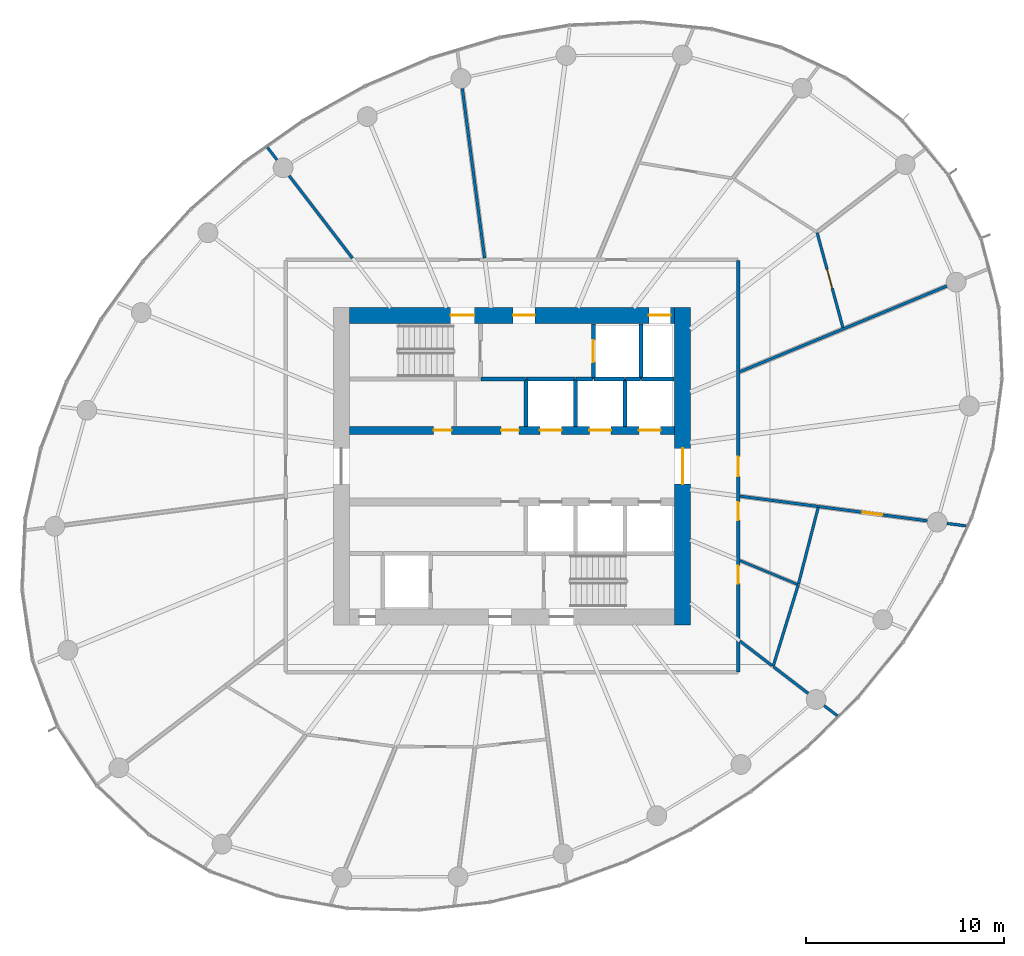
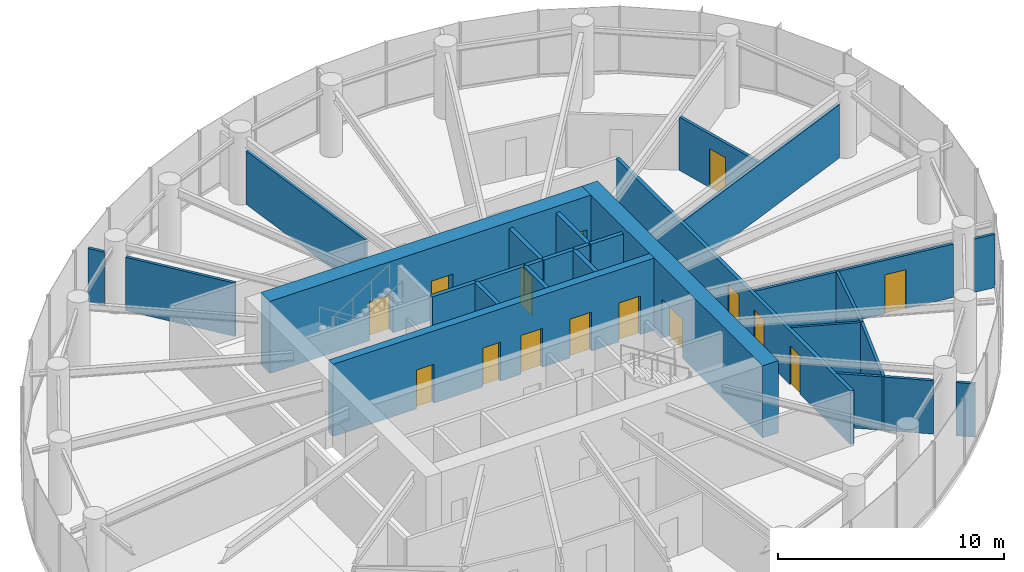
# One storey, part 10 of 14: 29 walls, 15 doors, 15 openings.
"""IFC4 building model written with IfcOpenShell, lengths in metres."""

import ifcopenshell
import ifcopenshell.guid

model = None  # the IFC model being written
_history = None  # IfcOwnerHistory: only IFC2X3 demands one
_inside = {}  # id of a spatial element -> (the spatial element, [elements in it])
_under = {}  # id of a project, library or spatial element -> (it, [spatial elements below it])
_declared = {}  # id of a project -> (the project, [libraries it declares])
_typed = {}  # id of a type object -> (the type object, [elements of that type])
_made_of = {}  # id of a material, layer set ... -> (it, [elements and type objects made of it])


def new_model(schema):
    """Start an empty IFC model of exactly this schema.

    Asked for "IFC4X3", IfcOpenShell would pick the latest addendum, in which some entities
    have other attributes; the version numbers below select the first issue.
    IFC2X3 requires an IfcOwnerHistory on every rooted entity: one is made here for all.
    """
    global model, _history
    if schema == "IFC4X3":
        model = ifcopenshell.file(schema_version=(4, 3, 0, 0))
    else:
        model = ifcopenshell.file(schema=schema)
    _inside.clear()
    _under.clear()
    _declared.clear()
    _typed.clear()
    _made_of.clear()
    _history = None
    if model.schema == "IFC2X3":
        org = make("IfcOrganization", Name="unknown")
        user = make(
            "IfcPersonAndOrganization",
            ThePerson=make("IfcPerson", FamilyName="unknown"),
            TheOrganization=org,
        )
        app = make(
            "IfcApplication",
            ApplicationDeveloper=org,
            Version="unknown",
            ApplicationFullName="unknown",
            ApplicationIdentifier="unknown",
        )
        _history = make(
            "IfcOwnerHistory",
            OwningUser=user,
            OwningApplication=app,
            ChangeAction="ADDED",
            CreationDate=0,
        )
    return model


def make(cls, **values):
    """One entity of the class cls with the attributes given. An attribute that is None is left unset."""
    return model.create_entity(
        cls, **{name: value for name, value in values.items() if value is not None}
    )


def rooted(cls, **values):
    """An entity with a GlobalId (a new one), such as an element, a storey or a relation."""
    return make(cls, GlobalId=ifcopenshell.guid.new(), OwnerHistory=_history, **values)


def si_unit(unit_type, name, prefix=None):
    """IfcSIUnit, for example si_unit("LENGTHUNIT", "METRE", prefix="MILLI")."""
    return make("IfcSIUnit", UnitType=unit_type, Prefix=prefix, Name=name)


def assignment(units):
    """IfcUnitAssignment: the units of a project."""
    return None if units is None else make("IfcUnitAssignment", Units=units)


def point(xyz):
    """IfcCartesianPoint."""
    return None if xyz is None else make("IfcCartesianPoint", Coordinates=xyz)


def direction(xyz):
    """IfcDirection."""
    return None if xyz is None else make("IfcDirection", DirectionRatios=xyz)


def frame(location, z_axis=None, x_axis=None):
    """IfcAxis2Placement3D, a coordinate frame: its origin and axes. An axis left out is left unset."""
    return make(
        "IfcAxis2Placement3D",
        Location=point(location),
        Axis=direction(z_axis),
        RefDirection=direction(x_axis),
    )


def frame_2d(location, x_axis=None):
    """IfcAxis2Placement2D, a coordinate frame in the plane: its origin and x axis."""
    return make(
        "IfcAxis2Placement2D", Location=point(location), RefDirection=direction(x_axis)
    )


def origin():
    """The frame at (0, 0, 0) with its axes left unset."""
    return frame((0.0, 0.0, 0.0))


def place(relative_to, where):
    """IfcLocalPlacement: puts the frame where relative to a parent placement (None: the world)."""
    return make(
        "IfcLocalPlacement", PlacementRelTo=relative_to, RelativePlacement=where
    )


def context(
    kind, dimensions, precision=None, world=None, true_north=None, identifier=None
):
    """IfcGeometricRepresentationContext, for example the 3D "Model" context."""
    return make(
        "IfcGeometricRepresentationContext",
        ContextIdentifier=identifier,
        ContextType=kind,
        CoordinateSpaceDimension=dimensions,
        Precision=precision,
        WorldCoordinateSystem=world,
        TrueNorth=true_north,
    )


def subcontext(parent, identifier, kind, view, scale=None):
    """IfcGeometricRepresentationSubContext, for example "Body" below "Model"."""
    return make(
        "IfcGeometricRepresentationSubContext",
        ContextIdentifier=identifier,
        ContextType=kind,
        ParentContext=parent,
        TargetScale=scale,
        TargetView=view,
    )


def project(units=None, contexts=None):
    """IfcProject with its units and contexts."""
    return rooted(
        "IfcProject",
        Name="project",
        RepresentationContexts=contexts,
        UnitsInContext=assignment(units),
    )


def spatial(cls, under=None, at=None, **own):
    """A site, building, storey or space (cls), placed at a placement, below another one or the project."""
    s = rooted(cls, ObjectPlacement=at, **own)
    if under is not None:
        _under.setdefault(under.id(), (under, []))[1].append(s)
    return s


def profile(cls, at=None, kind="AREA", **sizes):
    """A parametric profile (cls). Its sizes go by their IFC names, for example OverallWidth=200.0."""
    return make(cls, ProfileType=kind, Position=at, **sizes)


def rectangle(**sizes):
    """IfcRectangleProfileDef."""
    return profile("IfcRectangleProfileDef", **sizes)


def extrude(swept, where, along, depth):
    """IfcExtrudedAreaSolid: the profile swept, set in the frame where, extruded along a direction by depth."""
    return make(
        "IfcExtrudedAreaSolid",
        SweptArea=swept,
        Position=where,
        ExtrudedDirection=direction(along),
        Depth=depth,
    )


def shape(context_of_items, identifier, shape_type, items):
    """IfcShapeRepresentation: the items that make up one representation, for example the "Body"."""
    return make(
        "IfcShapeRepresentation",
        ContextOfItems=context_of_items,
        RepresentationIdentifier=identifier,
        RepresentationType=shape_type,
        Items=items,
    )


def source(mapping_origin, context_of_items, identifier, shape_type, items):
    """IfcRepresentationMap: a shape defined once, which mapped items show again and again."""
    return make(
        "IfcRepresentationMap",
        MappingOrigin=mapping_origin,
        MappedRepresentation=shape(context_of_items, identifier, shape_type, items),
    )


def transform(
    local_origin,
    x_axis=None,
    y_axis=None,
    z_axis=None,
    scale=None,
    scale2=None,
    scale3=None,
    uniform=True,
):
    """IfcCartesianTransformationOperator3D, or its non-uniform kind. x_axis, y_axis, z_axis: its Axis1, 2, 3."""
    if uniform:
        return make(
            "IfcCartesianTransformationOperator3D",
            Axis1=direction(x_axis),
            Axis2=direction(y_axis),
            LocalOrigin=point(local_origin),
            Scale=scale,
            Axis3=direction(z_axis),
        )
    return make(
        "IfcCartesianTransformationOperator3DnonUniform",
        Axis1=direction(x_axis),
        Axis2=direction(y_axis),
        LocalOrigin=point(local_origin),
        Scale=scale,
        Axis3=direction(z_axis),
        Scale2=scale2,
        Scale3=scale3,
    )


def mapped(mapping_source, mapping_target):
    """IfcMappedItem: shows the shape of a source again, moved by a transform."""
    return make(
        "IfcMappedItem", MappingSource=mapping_source, MappingTarget=mapping_target
    )


def material(Name=None, Category=None):
    """IfcMaterial."""
    return make("IfcMaterial", Name=Name, Category=Category)


def layer(
    of_material, thickness, ventilated=None, Name=None, Category=None, Priority=None
):
    """IfcMaterialLayer: one layer of a wall or slab, of a material (None: an air gap)."""
    return make(
        "IfcMaterialLayer",
        Material=of_material,
        LayerThickness=thickness,
        IsVentilated=ventilated,
        Name=Name,
        Category=Category,
        Priority=Priority,
    )


def layer_set(layers, Name=None):
    """IfcMaterialLayerSet."""
    return make("IfcMaterialLayerSet", MaterialLayers=layers, LayerSetName=Name)


def made_of(thing, what):
    """Note that an element or type object is made of a material, layer set ...; save() writes the relation."""
    if what is not None:
        _made_of.setdefault(what.id(), (what, []))[1].append(thing)
    return thing


def type_object(cls, material=None, **own):
    """A type object (cls), such as IfcWallType, which elements share."""
    return made_of(rooted(cls, **own), material)


def element(
    cls,
    number,
    at=None,
    inside=None,
    cuts=None,
    type_object=None,
    material=None,
    context=None,
    identifier="Body",
    shape_type=None,
    held_by="IfcProductDefinitionShape",
    body=None,
    shapes=None,
    **own,
):
    """One element of the class cls, such as IfcWall. Its Tag is "e" and its number.

    at: its placement. inside: the storey or other place that contains it. cuts: it is an
    opening in that element (IfcRelVoidsElement). A single representation is given by context,
    identifier, shape_type and body (its items); several are given by shapes. held_by: the class
    of the entity that holds the representations. save() writes the other relations.
    """
    e = rooted(cls, Tag="e%d" % number, ObjectPlacement=at, **own)
    if body is not None:
        shapes = [shape(context, identifier, shape_type, body)]
    if shapes is not None:
        e.Representation = make(held_by, Representations=shapes)
    if inside is not None:
        _inside.setdefault(inside.id(), (inside, []))[1].append(e)
    if cuts is not None:
        rooted(
            "IfcRelVoidsElement", RelatingBuildingElement=cuts, RelatedOpeningElement=e
        )
    if type_object is not None:
        _typed.setdefault(type_object.id(), (type_object, []))[1].append(e)
    return made_of(e, material)


def fill(opening, filler):
    """IfcRelFillsElement: the door or window that sits in an opening."""
    return rooted(
        "IfcRelFillsElement",
        RelatingOpeningElement=opening,
        RelatedBuildingElement=filler,
    )


def aggregate(whole, parts):
    """IfcRelAggregates: a whole, such as a stair, and the parts it consists of."""
    return rooted("IfcRelAggregates", RelatingObject=whole, RelatedObjects=parts)


def save(model, path):
    """Write the relations noted so far, then the file.

    IfcRelAggregates (storeys below a building ...), IfcRelContainedInSpatialStructure (elements
    in a storey), IfcRelDefinesByType, IfcRelAssociatesMaterial and IfcRelDeclares: one each for
    every whole, place, type object, material and project.
    """
    for whole, parts in _under.values():
        aggregate(whole, parts)
    for where, things in _inside.values():
        rooted(
            "IfcRelContainedInSpatialStructure",
            RelatedElements=things,
            RelatingStructure=where,
        )
    for kind, things in _typed.values():
        rooted("IfcRelDefinesByType", RelatedObjects=things, RelatingType=kind)
    for what, things in _made_of.values():
        rooted("IfcRelAssociatesMaterial", RelatedObjects=things, RelatingMaterial=what)
    for by, libraries in _declared.values():
        rooted("IfcRelDeclares", RelatingContext=by, RelatedDefinitions=libraries)
    model.write(path)


model = new_model("IFC4")

# Units and contexts
model_context = context("Model", 3, precision=1e-05, world=origin(), true_north=direction((0.0, 1.0)))
body_context = subcontext(model_context, "Body", "Model", "MODEL_VIEW")
ifc_project = project(units=[si_unit("LENGTHUNIT", "METRE"), si_unit("AREAUNIT", "SQUARE_METRE"), si_unit("VOLUMEUNIT", "CUBIC_METRE"), si_unit("PLANEANGLEUNIT", "RADIAN"), si_unit("MASSUNIT", "GRAM", prefix="KILO")], contexts=[model_context])

# Site, building, storey
site_placement = place(None, origin())
site = spatial("IfcSite", under=ifc_project, at=site_placement, CompositionType="ELEMENT")
building_placement = place(site_placement, origin())
building = spatial("IfcBuilding", under=site, at=building_placement, Name="Spindrift Exchange Tower", CompositionType="ELEMENT")
storey_placement = place(building_placement, frame((0.0, 0.0, 140.89990234375)))
storey = spatial("IfcBuildingStorey", under=building, at=storey_placement, Name="L33", CompositionType="ELEMENT", Elevation=140.89990234375)

# Wall, opening, door
ifc_material_1 = material(Name="Concrete 65 MPa", Category="concrete")
ifc_layer_1 = layer(ifc_material_1, 0.800048828125)
ifc_layer_set_1 = layer_set([ifc_layer_1], Name="RC Core Wall 800 Concrete 65 MPa")
wall_type_1 = type_object("IfcWallType", Name="RC Core Wall 800 Concrete 65 MPa", PredefinedType="SHEAR", material=ifc_layer_set_1)
wall_1_placement = place(storey_placement, frame((60.60009765625, 40.0, 0.0), z_axis=(0.0, 0.0, 1.0), x_axis=(0.0, 1.0, 0.0)))
wall_1 = element("IfcWall", 1, at=wall_1_placement, inside=storey, type_object=wall_type_1, Name="Core wall E L33", PredefinedType="SHEAR", context=body_context, shape_type="SweptSolid", body=[
    extrude(rectangle(XDim=16.0, YDim=0.800048828125, at=frame_2d((8.0, 0.0))), origin(), (0.0, 0.0, 1.0), 3.900146484375),
])
opening_1_placement = place(wall_1_placement, frame((7.10009765625, 0.0, 0.0)))
opening_1 = element("IfcOpeningElement", 2, at=opening_1_placement, cuts=wall_1, Name="Opening L33-D2", PredefinedType="OPENING", context=body_context, shape_type="SweptSolid", body=[
    extrude(rectangle(XDim=1.800048828125, YDim=2.10009765625, at=frame_2d((0.89990234375, 1.050048828125))), frame((0.0, 0.409912109375, 0.0), z_axis=(0.0, -1.0, 0.0), x_axis=(1.0, 0.0, 0.0)), (0.0, 0.0, 1.0), 0.820068359375),
])
ifc_material_2 = material(Name="Timber-core fire door", Category="wood")
door_type_1 = type_object("IfcDoorType", Name="DR-LOBBY-1800", OperationType="NOTDEFINED", PredefinedType="DOOR", material=ifc_material_2)
shared_shape_1 = source(origin(), body_context, "Body", "SweptSolid", [
    extrude(rectangle(XDim=1.800048828125, YDim=2.10009765625, at=frame_2d((0.89990234375, 1.050048828125))), frame((0.0, 0.02490234375, 0.0), z_axis=(0.0, -1.0, 0.0), x_axis=(1.0, 0.0, 0.0)), (0.0, 0.0, 1.0), 0.050048828125),
])
door_1_placement = place(opening_1_placement, origin())
door_1 = element("IfcDoor", 3, at=door_1_placement, inside=storey, type_object=door_type_1, Name="L33 Lobby door 2", OperationType="SINGLE_SWING_RIGHT", OverallHeight=2.10009765625, OverallWidth=1.800048828125, PredefinedType="DOOR", context=body_context, shape_type="MappedRepresentation", body=[
    mapped(shared_shape_1, transform((0.0, 0.0, 0.0), scale=1.0)),
])
fill(opening_1, door_1)

# Wall, openings, doors
wall_2_placement = place(storey_placement, frame((60.199951171875, 55.60009765625, 0.0), z_axis=(0.0, 0.0, 1.0), x_axis=(-1.0, 0.0, 0.0)))
wall_2 = element("IfcWall", 4, at=wall_2_placement, inside=storey, type_object=wall_type_1, Name="Core wall N L33", PredefinedType="SHEAR", context=body_context, shape_type="SweptSolid", body=[
    extrude(rectangle(XDim=16.39990234375, YDim=0.800048828125, at=frame_2d((8.199951171875, 0.0))), origin(), (0.0, 0.0, 1.0), 3.900146484375),
])
opening_2_placement = place(wall_2_placement, frame((0.199951171875, 0.0, 0.0)))
opening_2 = element("IfcOpeningElement", 5, at=opening_2_placement, cuts=wall_2, Name="Opening L33-D11", PredefinedType="OPENING", context=body_context, shape_type="SweptSolid", body=[
    extrude(rectangle(XDim=1.10009765625, YDim=2.10009765625, at=frame_2d((0.550048828125, 1.050048828125))), frame((0.0, 0.409912109375, 0.0), z_axis=(0.0, -1.0, 0.0), x_axis=(1.0, 0.0, 0.0)), (0.0, 0.0, 1.0), 0.820068359375),
])
opening_3_placement = place(wall_2_placement, frame((10.10009765625, 0.0, 0.0)))
opening_3 = element("IfcOpeningElement", 6, at=opening_3_placement, cuts=wall_2, Name="Opening L33-D12", PredefinedType="OPENING", context=body_context, shape_type="SweptSolid", body=[
    extrude(rectangle(XDim=1.199951171875, YDim=2.10009765625, at=frame_2d((0.60009765625, 1.050048828125))), frame((0.0, 0.409912109375, 0.0), z_axis=(0.0, -1.0, 0.0), x_axis=(1.0, 0.0, 0.0)), (0.0, 0.0, 1.0), 0.820068359375),
])
opening_4_placement = place(wall_2_placement, frame((7.050048828125, 0.0, 0.0)))
opening_4 = element("IfcOpeningElement", 7, at=opening_4_placement, cuts=wall_2, Name="Opening L33-D14", PredefinedType="OPENING", context=body_context, shape_type="SweptSolid", body=[
    extrude(rectangle(XDim=1.10009765625, YDim=2.10009765625, at=frame_2d((0.550048828125, 1.050048828125))), frame((0.0, 0.409912109375, 0.0), z_axis=(0.0, -1.0, 0.0), x_axis=(1.0, 0.0, 0.0)), (0.0, 0.0, 1.0), 0.820068359375),
])
ifc_material_3 = material(Name="Stainless steel landing door", Category="steel")
door_type_2 = type_object("IfcDoorType", Name="DR-LANDING-1100-SL", OperationType="DOUBLE_DOOR_SLIDING", PredefinedType="USERDEFINED", material=ifc_material_3)
shared_shape_2 = source(origin(), body_context, "Body", "SweptSolid", [
    extrude(rectangle(XDim=1.10009765625, YDim=2.10009765625, at=frame_2d((0.550048828125, 1.050048828125))), frame((0.0, 0.02490234375, 0.0), z_axis=(0.0, -1.0, 0.0), x_axis=(1.0, 0.0, 0.0)), (0.0, 0.0, 1.0), 0.050048828125),
])
door_2_placement = place(opening_2_placement, origin())
door_2 = element("IfcDoor", 8, at=door_2_placement, inside=storey, type_object=door_type_2, Name="L33 Lift landing door 11", ObjectType="LANDING DOOR", OperationType="DOUBLE_DOOR_SLIDING", OverallHeight=2.10009765625, OverallWidth=1.10009765625, PredefinedType="USERDEFINED", context=body_context, shape_type="MappedRepresentation", body=[
    mapped(shared_shape_2, transform((0.0, 0.0, 0.0), scale=1.0)),
])
fill(opening_2, door_2)
ifc_material_4 = material(Name="Steel fire door", Category="steel")
door_type_3 = type_object("IfcDoorType", Name="DR-STAIR-1200", OperationType="NOTDEFINED", PredefinedType="DOOR", material=ifc_material_4)
shared_shape_3 = source(origin(), body_context, "Body", "SweptSolid", [
    extrude(rectangle(XDim=1.199951171875, YDim=2.10009765625, at=frame_2d((0.60009765625, 1.050048828125))), frame((0.0, 0.02490234375, 0.0), z_axis=(0.0, -1.0, 0.0), x_axis=(1.0, 0.0, 0.0)), (0.0, 0.0, 1.0), 0.050048828125),
])
door_3_placement = place(opening_3_placement, origin())
door_3 = element("IfcDoor", 9, at=door_3_placement, inside=storey, type_object=door_type_3, Name="L33 Stair door 12", OperationType="SINGLE_SWING_LEFT", OverallHeight=2.10009765625, OverallWidth=1.199951171875, PredefinedType="DOOR", context=body_context, shape_type="MappedRepresentation", body=[
    mapped(shared_shape_3, transform((0.0, 0.0, 0.0), scale=1.0)),
])
fill(opening_3, door_3)
door_type_4 = type_object("IfcDoorType", Name="DR-LOBBY-1100", OperationType="NOTDEFINED", PredefinedType="DOOR", material=ifc_material_2)
shared_shape_4 = source(origin(), body_context, "Body", "SweptSolid", [
    extrude(rectangle(XDim=1.10009765625, YDim=2.10009765625, at=frame_2d((0.550048828125, 1.050048828125))), frame((0.0, 0.02490234375, 0.0), z_axis=(0.0, -1.0, 0.0), x_axis=(1.0, 0.0, 0.0)), (0.0, 0.0, 1.0), 0.050048828125),
])
door_4_placement = place(opening_4_placement, origin())
door_4 = element("IfcDoor", 10, at=door_4_placement, inside=storey, type_object=door_type_4, Name="L33 Lobby door 14", OperationType="SINGLE_SWING_LEFT", OverallHeight=2.10009765625, OverallWidth=1.10009765625, PredefinedType="DOOR", context=body_context, shape_type="MappedRepresentation", body=[
    mapped(shared_shape_4, transform((0.0, 0.0, 0.0), scale=1.0)),
])
fill(opening_4, door_4)

ifc_layer_2 = layer(ifc_material_1, 0.39990234375)
ifc_layer_set_2 = layer_set([ifc_layer_2], Name="RC Spine Wall 400 Concrete 65 MPa")
wall_type_2 = type_object("IfcWallType", Name="RC Spine Wall 400 Concrete 65 MPa", PredefinedType="SHEAR", material=ifc_layer_set_2)
wall_3_placement = place(storey_placement, frame((43.800048828125, 49.800048828125, 0.0), z_axis=(0.0, 0.0, 1.0), x_axis=(1.0, 0.0, 0.0)))
wall_3 = element("IfcWall", 11, at=wall_3_placement, inside=storey, type_object=wall_type_2, Name="Core spine wall N L33", PredefinedType="SHEAR", context=body_context, shape_type="SweptSolid", body=[
    extrude(rectangle(XDim=16.39990234375, YDim=0.39990234375, at=frame_2d((8.199951171875, 0.0))), origin(), (0.0, 0.0, 1.0), 3.900146484375),
])
opening_5_placement = place(wall_3_placement, frame((9.60009765625, 0.0, 0.0)))
opening_5 = element("IfcOpeningElement", 12, at=opening_5_placement, cuts=wall_3, Name="Opening L33-D3", PredefinedType="OPENING", context=body_context, shape_type="SweptSolid", body=[
    extrude(rectangle(XDim=1.10009765625, YDim=2.10009765625, at=frame_2d((0.550048828125, 1.050048828125))), frame((0.0, 0.2099609375, 0.0), z_axis=(0.0, -1.0, 0.0), x_axis=(1.0, 0.0, 0.0)), (0.0, 0.0, 1.0), 0.419921875),
])
opening_6_placement = place(wall_3_placement, frame((12.10009765625, 0.0, 0.0)))
opening_6 = element("IfcOpeningElement", 13, at=opening_6_placement, cuts=wall_3, Name="Opening L33-D4", PredefinedType="OPENING", context=body_context, shape_type="SweptSolid", body=[
    extrude(rectangle(XDim=1.10009765625, YDim=2.10009765625, at=frame_2d((0.550048828125, 1.050048828125))), frame((0.0, 0.2099609375, 0.0), z_axis=(0.0, -1.0, 0.0), x_axis=(1.0, 0.0, 0.0)), (0.0, 0.0, 1.0), 0.419921875),
])
opening_7_placement = place(wall_3_placement, frame((14.60009765625, 0.0, 0.0)))
opening_7 = element("IfcOpeningElement", 14, at=opening_7_placement, cuts=wall_3, Name="Opening L33-D5", PredefinedType="OPENING", context=body_context, shape_type="SweptSolid", body=[
    extrude(rectangle(XDim=1.10009765625, YDim=2.10009765625, at=frame_2d((0.550048828125, 1.050048828125))), frame((0.0, 0.2099609375, 0.0), z_axis=(0.0, -1.0, 0.0), x_axis=(1.0, 0.0, 0.0)), (0.0, 0.0, 1.0), 0.419921875),
])
opening_8_placement = place(wall_3_placement, frame((4.25, 0.0, 0.0)))
opening_8 = element("IfcOpeningElement", 15, at=opening_8_placement, cuts=wall_3, Name="Opening L33-D37", PredefinedType="OPENING", context=body_context, shape_type="SweptSolid", body=[
    extrude(rectangle(XDim=0.89990234375, YDim=2.10009765625, at=frame_2d((0.449951171875, 1.050048828125))), frame((0.0, 0.2099609375, 0.0), z_axis=(0.0, -1.0, 0.0), x_axis=(1.0, 0.0, 0.0)), (0.0, 0.0, 1.0), 0.419921875),
])
opening_9_placement = place(wall_3_placement, frame((7.64990234375, 0.0, 0.0)))
opening_9 = element("IfcOpeningElement", 16, at=opening_9_placement, cuts=wall_3, Name="Opening L33-D38", PredefinedType="OPENING", context=body_context, shape_type="SweptSolid", body=[
    extrude(rectangle(XDim=0.89990234375, YDim=2.10009765625, at=frame_2d((0.449951171875, 1.050048828125))), frame((0.0, 0.2099609375, 0.0), z_axis=(0.0, -1.0, 0.0), x_axis=(1.0, 0.0, 0.0)), (0.0, 0.0, 1.0), 0.419921875),
])
door_5_placement = place(opening_5_placement, origin())
door_5 = element("IfcDoor", 17, at=door_5_placement, inside=storey, type_object=door_type_2, Name="L33 Lift landing door 3", ObjectType="LANDING DOOR", OperationType="DOUBLE_DOOR_SLIDING", OverallHeight=2.10009765625, OverallWidth=1.10009765625, PredefinedType="USERDEFINED", context=body_context, shape_type="MappedRepresentation", body=[
    mapped(shared_shape_2, transform((0.0, 0.0, 0.0), scale=1.0)),
])
fill(opening_5, door_5)
door_6_placement = place(opening_6_placement, origin())
door_6 = element("IfcDoor", 18, at=door_6_placement, inside=storey, type_object=door_type_2, Name="L33 Lift landing door 4", ObjectType="LANDING DOOR", OperationType="DOUBLE_DOOR_SLIDING", OverallHeight=2.10009765625, OverallWidth=1.10009765625, PredefinedType="USERDEFINED", context=body_context, shape_type="MappedRepresentation", body=[
    mapped(shared_shape_2, transform((0.0, 0.0, 0.0), scale=1.0)),
])
fill(opening_6, door_6)
door_7_placement = place(opening_7_placement, origin())
door_7 = element("IfcDoor", 19, at=door_7_placement, inside=storey, type_object=door_type_2, Name="L33 Lift landing door 5", ObjectType="LANDING DOOR", OperationType="DOUBLE_DOOR_SLIDING", OverallHeight=2.10009765625, OverallWidth=1.10009765625, PredefinedType="USERDEFINED", context=body_context, shape_type="MappedRepresentation", body=[
    mapped(shared_shape_2, transform((0.0, 0.0, 0.0), scale=1.0)),
])
fill(opening_7, door_7)
ifc_material_5 = material(Name="Steel access door", Category="steel")
door_type_5 = type_object("IfcDoorType", Name="DR-RISER-900", OperationType="NOTDEFINED", PredefinedType="DOOR", material=ifc_material_5)
shared_shape_5 = source(origin(), body_context, "Body", "SweptSolid", [
    extrude(rectangle(XDim=0.89990234375, YDim=2.10009765625, at=frame_2d((0.449951171875, 1.050048828125))), frame((0.0, 0.02490234375, 0.0), z_axis=(0.0, -1.0, 0.0), x_axis=(1.0, 0.0, 0.0)), (0.0, 0.0, 1.0), 0.050048828125),
])
door_8_placement = place(opening_8_placement, origin())
door_8 = element("IfcDoor", 20, at=door_8_placement, inside=storey, type_object=door_type_5, Name="L33 Riser door 37", OperationType="SINGLE_SWING_RIGHT", OverallHeight=2.10009765625, OverallWidth=0.89990234375, PredefinedType="DOOR", context=body_context, shape_type="MappedRepresentation", body=[
    mapped(shared_shape_5, transform((0.0, 0.0, 0.0), scale=1.0)),
])
fill(opening_8, door_8)
door_9_placement = place(opening_9_placement, origin())
door_9 = element("IfcDoor", 21, at=door_9_placement, inside=storey, type_object=door_type_5, Name="L33 Riser door 38", OperationType="SINGLE_SWING_LEFT", OverallHeight=2.10009765625, OverallWidth=0.89990234375, PredefinedType="DOOR", context=body_context, shape_type="MappedRepresentation", body=[
    mapped(shared_shape_5, transform((0.0, 0.0, 0.0), scale=1.0)),
])
fill(opening_9, door_9)

ifc_material_6 = material(Name="Fire-rated plasterboard partition", Category="gypsum")
ifc_layer_3 = layer(ifc_material_6, 0.179931640625)
ifc_layer_set_3 = layer_set([ifc_layer_3], Name="W-CORR-180")
wall_type_3 = type_object("IfcWallType", Name="W-CORR-180", PredefinedType="PARTITIONING", material=ifc_layer_set_3)
wall_4_placement = place(storey_placement, frame((63.39990234375, 58.3701171875, 0.0), z_axis=(0.0, 0.0, 1.0), x_axis=(0.0, -1.0, 0.0)))
wall_4 = element("IfcWall", 22, at=wall_4_placement, inside=storey, type_object=wall_type_3, Name="L33 Partition wall 29", PredefinedType="PARTITIONING", context=body_context, shape_type="SweptSolid", body=[
    extrude(rectangle(XDim=20.740234375, YDim=0.179931640625, at=frame_2d((10.3701171875, 0.0))), origin(), (0.0, 0.0, 1.0), 2.880126953125),
])
opening_10_placement = place(wall_4_placement, frame((15.389892578125, 0.0, 0.0)))
opening_10 = element("IfcOpeningElement", 23, at=opening_10_placement, cuts=wall_4, Name="Opening L33-D19", PredefinedType="OPENING", context=body_context, shape_type="SweptSolid", body=[
    extrude(rectangle(XDim=0.89990234375, YDim=2.10009765625, at=frame_2d((0.449951171875, 1.050048828125))), frame((0.0, 0.099853515625, 0.0), z_axis=(0.0, -1.0, 0.0), x_axis=(1.0, 0.0, 0.0)), (0.0, 0.0, 1.0), 0.199951171875),
])
opening_11_placement = place(wall_4_placement, frame((12.18994140625, 0.0, 0.0)))
opening_11 = element("IfcOpeningElement", 24, at=opening_11_placement, cuts=wall_4, Name="Opening L33-D20", PredefinedType="OPENING", context=body_context, shape_type="SweptSolid", body=[
    extrude(rectangle(XDim=0.89990234375, YDim=2.10009765625, at=frame_2d((0.449951171875, 1.050048828125))), frame((0.0, 0.099853515625, 0.0), z_axis=(0.0, -1.0, 0.0), x_axis=(1.0, 0.0, 0.0)), (0.0, 0.0, 1.0), 0.199951171875),
])
opening_12_placement = place(wall_4_placement, frame((9.889892578125, 0.0, 0.0)))
opening_12 = element("IfcOpeningElement", 25, at=opening_12_placement, cuts=wall_4, Name="Opening L33-D21", PredefinedType="OPENING", context=body_context, shape_type="SweptSolid", body=[
    extrude(rectangle(XDim=1.0, YDim=2.10009765625, at=frame_2d((0.5, 1.050048828125))), frame((0.0, 0.099853515625, 0.0), z_axis=(0.0, -1.0, 0.0), x_axis=(1.0, 0.0, 0.0)), (0.0, 0.0, 1.0), 0.199951171875),
])
door_type_6 = type_object("IfcDoorType", Name="DR-ROOM-1000", OperationType="NOTDEFINED", PredefinedType="DOOR", material=ifc_material_2)
shared_shape_6 = source(origin(), body_context, "Body", "SweptSolid", [
    extrude(rectangle(XDim=1.0, YDim=2.10009765625, at=frame_2d((0.5, 1.050048828125))), frame((0.0, 0.02490234375, 0.0), z_axis=(0.0, -1.0, 0.0), x_axis=(1.0, 0.0, 0.0)), (0.0, 0.0, 1.0), 0.050048828125),
])
door_10_placement = place(opening_12_placement, origin())
door_10 = element("IfcDoor", 26, at=door_10_placement, inside=storey, type_object=door_type_6, Name="L33 Door 21", OperationType="SINGLE_SWING_RIGHT", OverallHeight=2.10009765625, OverallWidth=1.0, PredefinedType="DOOR", context=body_context, shape_type="MappedRepresentation", body=[
    mapped(shared_shape_6, transform((0.0, 0.0, 0.0), scale=1.0)),
])
fill(opening_12, door_10)
ifc_material_7 = material(Name="Laminate washroom door", Category="wood")
door_type_7 = type_object("IfcDoorType", Name="DR-WC-900", OperationType="NOTDEFINED", PredefinedType="DOOR", material=ifc_material_7)
shared_shape_7 = source(origin(), body_context, "Body", "SweptSolid", [
    extrude(rectangle(XDim=0.89990234375, YDim=2.10009765625, at=frame_2d((0.449951171875, 1.050048828125))), frame((0.0, 0.02490234375, 0.0), z_axis=(0.0, -1.0, 0.0), x_axis=(1.0, 0.0, 0.0)), (0.0, 0.0, 1.0), 0.050048828125),
])
door_11_placement = place(opening_10_placement, origin())
door_11 = element("IfcDoor", 27, at=door_11_placement, inside=storey, type_object=door_type_7, Name="L33 WC door 19", OperationType="SINGLE_SWING_RIGHT", OverallHeight=2.10009765625, OverallWidth=0.89990234375, PredefinedType="DOOR", context=body_context, shape_type="MappedRepresentation", body=[
    mapped(shared_shape_7, transform((0.0, 0.0, 0.0), scale=1.0)),
])
fill(opening_10, door_11)
door_12_placement = place(opening_11_placement, origin())
door_12 = element("IfcDoor", 28, at=door_12_placement, inside=storey, type_object=door_type_7, Name="L33 WC door 20", OperationType="SINGLE_SWING_LEFT", OverallHeight=2.10009765625, OverallWidth=0.89990234375, PredefinedType="DOOR", context=body_context, shape_type="MappedRepresentation", body=[
    mapped(shared_shape_7, transform((0.0, 0.0, 0.0), scale=1.0)),
])
fill(opening_11, door_12)

# Walls
ifc_layer_4 = layer(ifc_material_6, 0.139892578125)
ifc_layer_set_4 = layer_set([ifc_layer_4], Name="W-PART-140")
wall_type_4 = type_object("IfcWallType", Name="W-PART-140", PredefinedType="PARTITIONING", material=ifc_layer_set_4)
wall_5_placement = place(storey_placement, frame((73.93017578125, 57.083740234375, 0.0), z_axis=(0.0, 0.0, 1.0), x_axis=(-0.923879643786, -0.382683163725, 0.0)))
element("IfcWall", 29, at=wall_5_placement, inside=storey, type_object=wall_type_4, Name="L33 Partition wall 31", PredefinedType="PARTITIONING", context=body_context, shape_type="SweptSolid", body=[
    extrude(rectangle(XDim=11.30029296875, YDim=0.139892578125, at=frame_2d((5.650146484375, 0.0))), origin(), (0.0, 0.0, 1.0), 2.880126953125),
])
wall_6_placement = place(storey_placement, frame((50.618896484375, 58.489990234375, 0.0), z_axis=(0.0, 0.0, 1.0), x_axis=(-0.130507901859, 0.991447269174, 0.0)))
element("IfcWall", 30, at=wall_6_placement, inside=storey, type_object=wall_type_4, Name="L33 Partition wall 34", PredefinedType="PARTITIONING", context=body_context, shape_type="SweptSolid", body=[
    extrude(rectangle(XDim=8.63525390625, YDim=0.139892578125, at=frame_2d((4.317626953125, 0.0))), origin(), (0.0, 0.0, 1.0), 2.880126953125),
])

# Wall, opening, door
wall_7_placement = place(storey_placement, frame((72.94091796875, 45.2431640625, 0.0), z_axis=(0.0, 0.0, 1.0), x_axis=(-0.991447989587, 0.130502428879, 0.0)))
wall_7 = element("IfcWall", 31, at=wall_7_placement, inside=storey, type_object=wall_type_4, Name="L33 Partition wall 40", PredefinedType="PARTITIONING", context=body_context, shape_type="SweptSolid", body=[
    extrude(rectangle(XDim=5.53564453125, YDim=0.139892578125, at=frame_2d((2.767822265625, 0.0))), origin(), (0.0, 0.0, 1.0), 2.880126953125),
])
opening_13_placement = place(wall_7_placement, frame((2.28564453125, 0.0, 0.0)))
opening_13 = element("IfcOpeningElement", 32, at=opening_13_placement, cuts=wall_7, Name="Opening L33-D22", PredefinedType="OPENING", context=body_context, shape_type="SweptSolid", body=[
    extrude(rectangle(XDim=1.0, YDim=2.10009765625, at=frame_2d((0.5, 1.050048828125))), frame((0.0, 0.079833984375, 0.0), z_axis=(0.0, -1.0, 0.0), x_axis=(1.0, 0.0, 0.0)), (0.0, 0.0, 1.0), 0.159912109375),
])
door_13_placement = place(opening_13_placement, origin())
door_13 = element("IfcDoor", 33, at=door_13_placement, inside=storey, type_object=door_type_6, Name="L33 Door 22", OperationType="SINGLE_SWING_LEFT", OverallHeight=2.10009765625, OverallWidth=1.0, PredefinedType="DOOR", context=body_context, shape_type="MappedRepresentation", body=[
    mapped(shared_shape_6, transform((0.0, 0.0, 0.0), scale=1.0)),
])
fill(opening_13, door_13)

# Wall
wall_8_placement = place(storey_placement, frame((43.95068359375, 58.489990234375, 0.0), z_axis=(0.0, 0.0, 1.0), x_axis=(-0.608736894437, 0.793372165728, 0.0)))
element("IfcWall", 34, at=wall_8_placement, inside=storey, type_object=wall_type_4, Name="L33 Partition wall 41", PredefinedType="PARTITIONING", context=body_context, shape_type="SweptSolid", body=[
    extrude(rectangle(XDim=5.236328125, YDim=0.139892578125, at=frame_2d((2.6181640625, 0.0))), origin(), (0.0, 0.0, 1.0), 2.880126953125),
])

# Wall, opening, door
wall_9_placement = place(storey_placement, frame((67.386962890625, 59.771728515625, 0.0), z_axis=(0.0, 0.0, 1.0), x_axis=(0.262079708004, -0.965046230319, 0.0)))
wall_9 = element("IfcWall", 35, at=wall_9_placement, inside=storey, type_object=wall_type_4, Name="L33 Partition wall 44", PredefinedType="PARTITIONING", context=body_context, shape_type="SweptSolid", body=[
    extrude(rectangle(XDim=4.957763671875, YDim=0.139892578125, at=frame_2d((2.47900390625, 0.0))), origin(), (0.0, 0.0, 1.0), 2.880126953125),
])
opening_14_placement = place(wall_9_placement, frame((1.90771484375, 0.0, 0.0)))
opening_14 = element("IfcOpeningElement", 36, at=opening_14_placement, cuts=wall_9, Name="Opening L33-D24", PredefinedType="OPENING", context=body_context, shape_type="SweptSolid", body=[
    extrude(rectangle(XDim=1.0, YDim=2.10009765625, at=frame_2d((0.5, 1.050048828125))), frame((0.0, 0.079833984375, 0.0), z_axis=(0.0, -1.0, 0.0), x_axis=(1.0, 0.0, 0.0)), (0.0, 0.0, 1.0), 0.159912109375),
])
door_14_placement = place(opening_14_placement, origin())
door_14 = element("IfcDoor", 37, at=door_14_placement, inside=storey, type_object=door_type_6, Name="L33 Door 24", OperationType="SINGLE_SWING_LEFT", OverallHeight=2.10009765625, OverallWidth=1.0, PredefinedType="DOOR", context=body_context, shape_type="MappedRepresentation", body=[
    mapped(shared_shape_6, transform((0.0, 0.0, 0.0), scale=1.0)),
])
fill(opening_14, door_14)

# Walls
wall_10_placement = place(storey_placement, frame((65.16650390625, 37.89697265625, 0.0), z_axis=(0.0, 0.0, 1.0), x_axis=(0.294141518145, 0.955761877929, 0.0)))
element("IfcWall", 38, at=wall_10_placement, inside=storey, type_object=wall_type_4, Name="L33 Partition wall 49", PredefinedType="PARTITIONING", context=body_context, shape_type="SweptSolid", body=[
    extrude(rectangle(XDim=4.314453125, YDim=0.139892578125, at=frame_2d((2.1572265625, 0.0))), origin(), (0.0, 0.0, 1.0), 2.880126953125),
])
wall_11_placement = place(storey_placement, frame((63.489990234375, 46.4873046875, 0.0), z_axis=(0.0, 0.0, 1.0), x_axis=(0.991443189387, -0.130538891594, 0.0)))
element("IfcWall", 39, at=wall_11_placement, inside=storey, type_object=wall_type_4, Name="L33 Partition wall 50", PredefinedType="PARTITIONING", context=body_context, shape_type="SweptSolid", body=[
    extrude(rectangle(XDim=3.966796875, YDim=0.139892578125, at=frame_2d((1.9833984375, 0.0))), origin(), (0.0, 0.0, 1.0), 2.880126953125),
])
wall_12_placement = place(storey_placement, frame((66.443115234375, 42.049560546875, 0.0), z_axis=(0.0, 0.0, 1.0), x_axis=(0.249613122832, 0.968345645372, 0.0)))
element("IfcWall", 40, at=wall_12_placement, inside=storey, type_object=wall_type_4, Name="L33 Partition wall 51", PredefinedType="PARTITIONING", context=body_context, shape_type="SweptSolid", body=[
    extrude(rectangle(XDim=4.013916015625, YDim=0.139892578125, at=frame_2d((2.0068359375, 0.0))), origin(), (0.0, 0.0, 1.0), 2.880126953125),
])
wall_13_placement = place(storey_placement, frame((65.1904296875, 37.878662109375, 0.0), z_axis=(0.0, 0.0, 1.0), x_axis=(0.793320542196, -0.608804169934, 0.0)))
element("IfcWall", 41, at=wall_13_placement, inside=storey, type_object=wall_type_4, Name="L33 Partition wall 56", PredefinedType="PARTITIONING", context=body_context, shape_type="SweptSolid", body=[
    extrude(rectangle(XDim=2.200439453125, YDim=0.139892578125, at=frame_2d((1.10009765625, 0.0))), origin(), (0.0, 0.0, 1.0), 2.880126953125),
])
wall_14_placement = place(storey_placement, frame((63.489990234375, 39.183349609375, 0.0), z_axis=(0.0, 0.0, 1.0), x_axis=(0.79338464657, -0.6087206277, 0.0)))
element("IfcWall", 42, at=wall_14_placement, inside=storey, type_object=wall_type_4, Name="L33 Partition wall 57", PredefinedType="PARTITIONING", context=body_context, shape_type="SweptSolid", body=[
    extrude(rectangle(XDim=2.03857421875, YDim=0.139892578125, at=frame_2d((1.019287109375, 0.0))), origin(), (0.0, 0.0, 1.0), 2.880126953125),
])
wall_15_placement = place(storey_placement, frame((73.941162109375, 45.111328125, 0.0), z_axis=(0.0, 0.0, 1.0), x_axis=(0.991440537441, -0.130559031548, 0.0)))
element("IfcWall", 43, at=wall_15_placement, inside=storey, type_object=wall_type_4, Name="L33 Partition wall 59", PredefinedType="PARTITIONING", context=body_context, shape_type="SweptSolid", body=[
    extrude(rectangle(XDim=0.966796875, YDim=0.139892578125, at=frame_2d((0.4833984375, 0.0))), origin(), (0.0, 0.0, 1.0), 2.880126953125),
])
wall_16_placement = place(storey_placement, frame((67.736572265625, 35.9248046875, 0.0), z_axis=(0.0, 0.0, 1.0), x_axis=(0.793527999072, -0.608533741619, 0.0)))
element("IfcWall", 44, at=wall_16_placement, inside=storey, type_object=wall_type_4, Name="L33 Partition wall 68", PredefinedType="PARTITIONING", context=body_context, shape_type="SweptSolid", body=[
    extrude(rectangle(XDim=0.8525390625, YDim=0.139892578125, at=frame_2d((0.42626953125, 0.0))), origin(), (0.0, 0.0, 1.0), 2.880126953125),
])
wall_17_placement = place(storey_placement, frame((40.14892578125, 63.444580078125, 0.0), z_axis=(0.0, 0.0, 1.0), x_axis=(-0.608760344495, 0.793354172467, 0.0)))
element("IfcWall", 45, at=wall_17_placement, inside=storey, type_object=wall_type_4, Name="L33 Partition wall 71", PredefinedType="PARTITIONING", context=body_context, shape_type="SweptSolid", body=[
    extrude(rectangle(XDim=0.794921875, YDim=0.139892578125, at=frame_2d((0.3974609375, 0.0))), origin(), (0.0, 0.0, 1.0), 2.880126953125),
])

# Wall, opening, door
ifc_material_8 = material(Name="Concrete 40 MPa", Category="concrete")
ifc_layer_5 = layer(ifc_material_8, 0.199951171875)
ifc_layer_set_5 = layer_set([ifc_layer_5], Name="W-SHAFT-200")
wall_type_5 = type_object("IfcWallType", Name="W-SHAFT-200", PredefinedType="SOLIDWALL", material=ifc_layer_set_5)
wall_18_placement = place(storey_placement, frame((56.10009765625, 55.179931640625, 0.0), z_axis=(0.0, 0.0, 1.0), x_axis=(0.0, -1.0, 0.0)))
wall_18 = element("IfcWall", 46, at=wall_18_placement, inside=storey, type_object=wall_type_5, Name="L33 Shaft wall 7", PredefinedType="SOLIDWALL", context=body_context, shape_type="SweptSolid", body=[
    extrude(rectangle(XDim=2.780029296875, YDim=0.199951171875, at=frame_2d((1.39013671875, 0.0))), origin(), (0.0, 0.0, 1.0), 3.580078125),
])
opening_15_placement = place(wall_18_placement, frame((0.830078125, 0.0, 0.0)))
opening_15 = element("IfcOpeningElement", 47, at=opening_15_placement, cuts=wall_18, Name="Opening L33-D9", PredefinedType="OPENING", context=body_context, shape_type="SweptSolid", body=[
    extrude(rectangle(XDim=1.10009765625, YDim=2.10009765625, at=frame_2d((0.550048828125, 1.050048828125))), frame((0.0, 0.10986328125, 0.0), z_axis=(0.0, -1.0, 0.0), x_axis=(1.0, 0.0, 0.0)), (0.0, 0.0, 1.0), 0.219970703125),
])
door_15_placement = place(opening_15_placement, origin())
door_15 = element("IfcDoor", 48, at=door_15_placement, inside=storey, type_object=door_type_2, Name="L33 Lift landing door 9", ObjectType="LANDING DOOR", OperationType="DOUBLE_DOOR_SLIDING", OverallHeight=2.10009765625, OverallWidth=1.10009765625, PredefinedType="USERDEFINED", context=body_context, shape_type="MappedRepresentation", body=[
    mapped(shared_shape_2, transform((0.0, 0.0, 0.0), scale=1.0)),
])
fill(opening_15, door_15)

# Walls
wall_19_placement = place(storey_placement, frame((58.5, 52.39990234375, 0.0), z_axis=(0.0, 0.0, 1.0), x_axis=(0.0, 1.0, 0.0)))
element("IfcWall", 49, at=wall_19_placement, inside=storey, type_object=wall_type_5, Name="L33 Shaft wall 8", PredefinedType="SOLIDWALL", context=body_context, shape_type="SweptSolid", body=[
    extrude(rectangle(XDim=2.780029296875, YDim=0.199951171875, at=frame_2d((1.39013671875, 0.0))), origin(), (0.0, 0.0, 1.0), 3.580078125),
])
wall_20_placement = place(storey_placement, frame((55.199951171875, 52.39990234375, 0.0), z_axis=(0.0, 0.0, 1.0), x_axis=(-1.0, 0.0, 0.0)))
element("IfcWall", 50, at=wall_20_placement, inside=storey, type_object=wall_type_5, Name="L33 Shaft wall 9", PredefinedType="SOLIDWALL", context=body_context, shape_type="SweptSolid", body=[
    extrude(rectangle(XDim=2.5, YDim=0.199951171875, at=frame_2d((1.25, 0.0))), origin(), (0.0, 0.0, 1.0), 3.580078125),
])
for number, where, z_axis, x_axis, name in (
    (51, (52.699951171875, 52.3701171875, 0.0), (0.0, 0.0, 1.0), (0.0, -1.0, 0.0), "L33 Shaft wall 14"),
    (52, (55.199951171875, 50.010009765625, 0.0), (0.0, 0.0, 1.0), (0.0, 1.0, 0.0), "L33 Shaft wall 16"),
):
    element("IfcWall", number, at=place(storey_placement, frame(where, z_axis=z_axis, x_axis=x_axis)), inside=storey, type_object=wall_type_5, Name=name, PredefinedType="SOLIDWALL", context=body_context, shape_type="SweptSolid", body=[
        extrude(rectangle(XDim=2.360107421875, YDim=0.199951171875, at=frame_2d((1.18017578125, 0.0))), origin(), (0.0, 0.0, 1.0), 3.580078125),
    ])
wall_21_placement = place(storey_placement, frame((57.699951171875, 50.010009765625, 0.0), z_axis=(0.0, 0.0, 1.0), x_axis=(0.0, 1.0, 0.0)))
element("IfcWall", 53, at=wall_21_placement, inside=storey, type_object=wall_type_5, Name="L33 Shaft wall 18", PredefinedType="SOLIDWALL", context=body_context, shape_type="SweptSolid", body=[
    extrude(rectangle(XDim=2.389892578125, YDim=0.199951171875, at=frame_2d((1.19482421875, 0.0))), origin(), (0.0, 0.0, 1.0), 3.580078125),
])
wall_22_placement = place(storey_placement, frame((60.179931640625, 52.39990234375, 0.0), z_axis=(0.0, 0.0, 1.0), x_axis=(-1.0, 0.0, 0.0)))
element("IfcWall", 54, at=wall_22_placement, inside=storey, type_object=wall_type_5, Name="L33 Shaft wall 21", PredefinedType="SOLIDWALL", context=body_context, shape_type="SweptSolid", body=[
    extrude(rectangle(XDim=1.64990234375, YDim=0.199951171875, at=frame_2d((0.824951171875, 0.0))), origin(), (0.0, 0.0, 1.0), 3.580078125),
])
wall_23_placement = place(storey_placement, frame((57.669921875, 52.39990234375, 0.0), z_axis=(0.0, 0.0, 1.0), x_axis=(-1.0, 0.0, 0.0)))
element("IfcWall", 55, at=wall_23_placement, inside=storey, type_object=wall_type_5, Name="L33 Shaft wall 23", PredefinedType="SOLIDWALL", context=body_context, shape_type="SweptSolid", body=[
    extrude(rectangle(XDim=1.5400390625, YDim=0.199951171875, at=frame_2d((0.77001953125, 0.0))), origin(), (0.0, 0.0, 1.0), 3.580078125),
])
wall_24_placement = place(storey_placement, frame((56.070068359375, 52.39990234375, 0.0), z_axis=(0.0, 0.0, 1.0), x_axis=(-1.0, 0.0, 0.0)))
element("IfcWall", 56, at=wall_24_placement, inside=storey, type_object=wall_type_5, Name="L33 Shaft wall 25", PredefinedType="SOLIDWALL", context=body_context, shape_type="SweptSolid", body=[
    extrude(rectangle(XDim=0.840087890625, YDim=0.199951171875, at=frame_2d((0.419921875, 0.0))), origin(), (0.0, 0.0, 1.0), 3.580078125),
])
wall_25_placement = place(storey_placement, frame((58.469970703125, 52.39990234375, 0.0), z_axis=(0.0, 0.0, 1.0), x_axis=(-1.0, 0.0, 0.0)))
element("IfcWall", 57, at=wall_25_placement, inside=storey, type_object=wall_type_5, Name="L33 Shaft wall 26", PredefinedType="SOLIDWALL", context=body_context, shape_type="SweptSolid", body=[
    extrude(rectangle(XDim=0.739990234375, YDim=0.199951171875, at=frame_2d((0.3701171875, 0.0))), origin(), (0.0, 0.0, 1.0), 3.580078125),
])
ifc_layer_6 = layer(ifc_material_8, 0.199951171875)
ifc_layer_set_6 = layer_set([ifc_layer_6], Name="W-SHAFT-200-LB")
wall_type_6 = type_object("IfcWallType", Name="W-SHAFT-200-LB", PredefinedType="SOLIDWALL", material=ifc_layer_set_6)
wall_26_placement = place(storey_placement, frame((50.429931640625, 52.39990234375, 0.0), z_axis=(0.0, 0.0, 1.0), x_axis=(1.0, 0.0, 0.0)))
element("IfcWall", 58, at=wall_26_placement, inside=storey, type_object=wall_type_6, Name="L33 Shaft wall 19", PredefinedType="SOLIDWALL", context=body_context, shape_type="SweptSolid", body=[
    extrude(rectangle(XDim=2.239990234375, YDim=0.199951171875, at=frame_2d((1.1201171875, 0.0))), origin(), (0.0, 0.0, 1.0), 3.580078125),
])
ifc_layer_7 = layer(ifc_material_6, 0.1201171875)
ifc_layer_set_7 = layer_set([ifc_layer_7], Name="W-WET-120")
wall_type_7 = type_object("IfcWallType", Name="W-WET-120", PredefinedType="PARTITIONING", material=ifc_layer_set_7)
wall_27_placement = place(storey_placement, frame((63.489990234375, 43.24072265625, 0.0), z_axis=(0.0, 0.0, 1.0), x_axis=(0.923859477995, -0.382731844662, 0.0)))
element("IfcWall", 59, at=wall_27_placement, inside=storey, type_object=wall_type_7, Name="L33 Partition wall 72", PredefinedType="PARTITIONING", context=body_context, shape_type="SweptSolid", body=[
    extrude(rectangle(XDim=3.158203125, YDim=0.1201171875, at=frame_2d((1.5791015625, 0.0))), origin(), (0.0, 0.0, 1.0), 2.880126953125),
])

save(model, "model.ifc")
